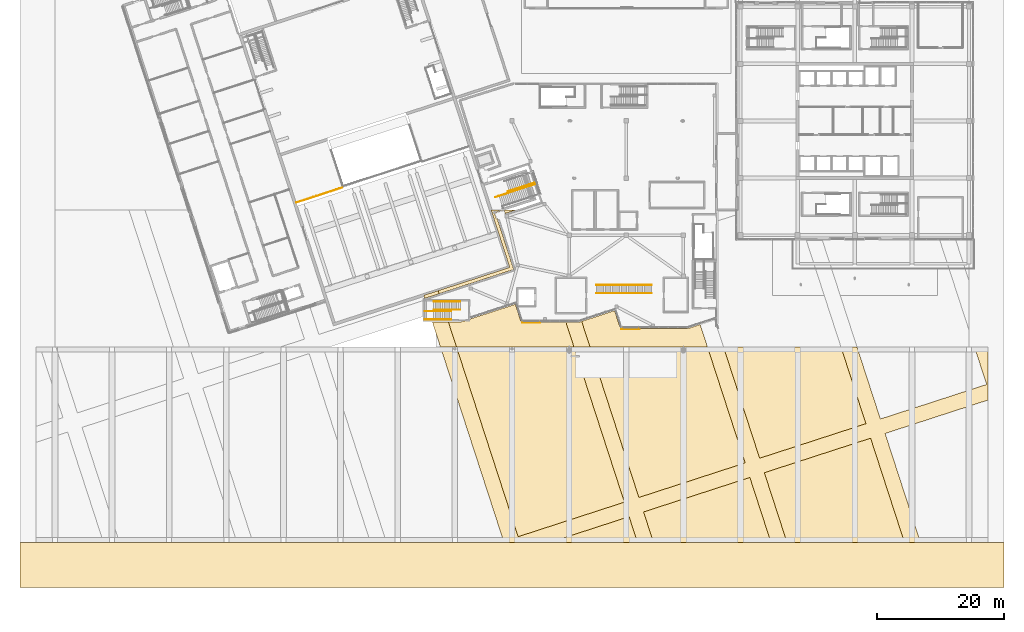
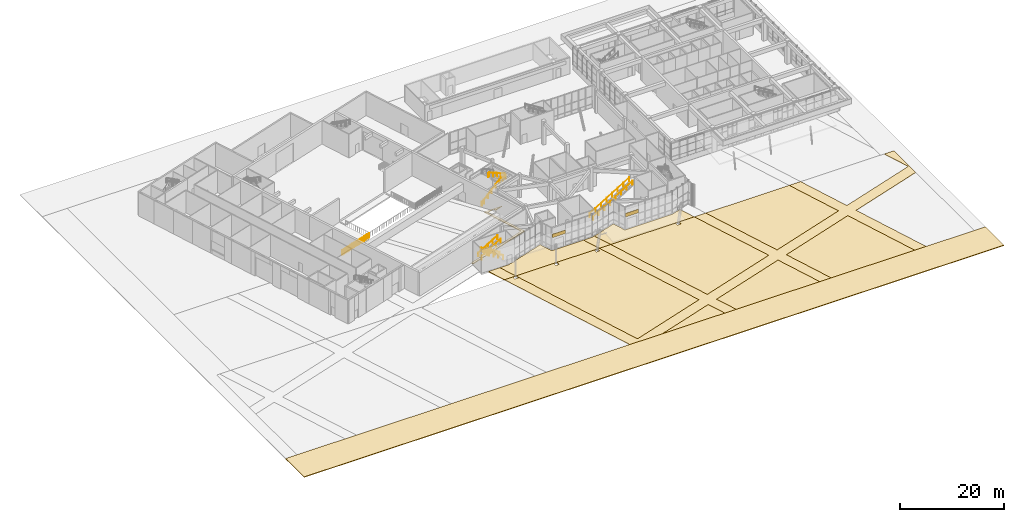
# One storey, part 63 of 72: 16 coverings, 8 railings.
"""IFC4 building model written with IfcOpenShell, lengths in metres."""

from ifc_helpers import new_model, si_unit, direction, frame, origin, origin_2d, place, context, subcontext, project, spatial, polyline, circle, outline, extrude, material, layer, layer_set, type_object, element, save


model = new_model("IFC4")

# Units and contexts
model_context = context("Model", 3, precision=1e-05, world=origin(), true_north=direction((0.0, 1.0)))
body_context = subcontext(model_context, "Body", "Model", "MODEL_VIEW")
ifc_project = project(units=[si_unit("LENGTHUNIT", "METRE"), si_unit("AREAUNIT", "SQUARE_METRE"), si_unit("VOLUMEUNIT", "CUBIC_METRE"), si_unit("PLANEANGLEUNIT", "RADIAN"), si_unit("MASSUNIT", "GRAM", prefix="KILO")], contexts=[model_context])

# Site, building, storey
site_placement = place(None, origin())
site = spatial("IfcSite", under=ifc_project, at=site_placement, CompositionType="ELEMENT")
building_placement = place(site_placement, origin())
building = spatial("IfcBuilding", under=site, at=building_placement, Name="Tuart Plaza Theatre", CompositionType="ELEMENT")
storey_placement = place(building_placement, origin())
storey = spatial("IfcBuildingStorey", under=building, at=storey_placement, Name="L00", CompositionType="ELEMENT", Elevation=0.0)

# Coverings
ifc_material_1 = material(Name="Concrete paving, power-floated cast in place", Category="concrete")
ifc_layer_1 = layer(ifc_material_1, 0.14990234375)
ifc_layer_set_1 = layer_set([ifc_layer_1], Name="COVERING-CAST-CONCRETE-PAVING150")
covering_type_1 = type_object("IfcCoveringType", Name="COVERING-CAST-CONCRETE-PAVING150", PredefinedType="FLOORING", material=ifc_layer_set_1)
covering_1_placement = place(storey_placement, frame((0.0, 0.0, -0.14990234375)))
element("IfcCovering", 1, at=covering_1_placement, inside=storey, type_object=covering_type_1, Name="D-COV-DECK-CB-1-1", PredefinedType="FLOORING", context=body_context, shape_type="SweptSolid", body=[
    extrude(outline(polyline([(68.60009765625, 37.60009765625), (68.60009765625, 38.39990234375), (66.7314453125, 38.39990234375), (76.68359375, 7.770263671875), (76.1591796875, 7.60009765625), (83.92578125, 7.60009765625), (96.4462890625, 11.668212890625), (97.76806640625, 7.60009765625), (100.29150390625, 7.60009765625), (98.728759765625, 12.409912109375), (115.46728515625, 17.848388671875), (118.79736328125, 7.60009765625), (121.32080078125, 7.60009765625), (117.75, 18.590087890625), (134.488525390625, 24.02880859375), (139.82666015625, 7.60009765625), (142.35009765625, 7.60009765625), (136.77099609375, 24.7705078125), (153.0, 30.043701171875), (153.0, 38.39990234375), (150.848388671875, 38.39990234375), (152.76806640625, 32.49169921875), (136.029541015625, 27.052978515625), (132.342529296875, 38.39990234375), (129.819091796875, 38.39990234375), (133.746826171875, 26.311279296875), (117.00830078125, 20.872802734375), (111.3134765625, 38.39990234375), (108.789794921875, 38.39990234375), (114.725830078125, 20.131103515625), (97.9873046875, 14.6923828125), (90.2841796875, 38.39990234375), (87.760498046875, 38.39990234375), (95.70458984375, 13.95068359375), (78.966064453125, 8.511962890625), (69.514892578125, 37.60009765625), (68.60009765625, 37.60009765625)])), origin(), (0.0, 0.0, 1.0), 0.14990234375),
])
covering_2_placement = place(storey_placement, frame((0.0, 0.0, -0.14990234375)))
element("IfcCovering", 2, at=covering_2_placement, inside=storey, type_object=covering_type_1, Name="D-COV-FORECOURT-CB-1-1", PredefinedType="FLOORING", context=body_context, shape_type="SweptSolid", body=[
    extrude(outline(polyline([(88.973388671875, 42.43359375), (88.49169921875, 42.2783203125), (86.50048828125, 42.2783203125), (87.760498046875, 38.39990234375), (90.2841796875, 38.39990234375), (88.973388671875, 42.43359375)])), origin(), (0.0, 0.0, 1.0), 0.14990234375),
])
covering_3_placement = place(storey_placement, frame((0.0, 0.0, -0.14990234375)))
element("IfcCovering", 3, at=covering_3_placement, inside=storey, type_object=covering_type_1, Name="D-COV-FORECOURT-CB-1-3", PredefinedType="FLOORING", context=body_context, shape_type="SweptSolid", body=[
    extrude(outline(polyline([(67.971435546875, 42.35009765625), (65.447998046875, 42.35009765625), (66.7314453125, 38.39990234375), (69.2548828125, 38.39990234375), (67.971435546875, 42.35009765625)])), origin(), (0.0, 0.0, 1.0), 0.14990234375),
])
covering_4_placement = place(storey_placement, frame((0.0, 0.0, -0.14990234375)))
element("IfcCovering", 4, at=covering_4_placement, inside=storey, type_object=covering_type_1, Name="D-COV-FORECOURT-CB-1-5", PredefinedType="FLOORING", context=body_context, shape_type="SweptSolid", body=[
    extrude(outline(polyline([(64.24560546875, 46.05029296875), (66.528076171875, 46.7919921875), (66.37353515625, 47.267578125), (64.091064453125, 46.52587890625), (64.24560546875, 46.05029296875)])), origin(), (0.0, 0.0, 1.0), 0.14990234375),
])
ifc_material_2 = material(Name="Stone paving", Category="masonry")
ifc_layer_2 = layer(ifc_material_2, 0.14990234375)
ifc_layer_set_2 = layer_set([ifc_layer_2], Name="COVERING-GRADE-PAVING150")
covering_type_2 = type_object("IfcCoveringType", Name="COVERING-GRADE-PAVING150", PredefinedType="USERDEFINED", material=ifc_layer_set_2)
covering_5_placement = place(storey_placement, frame((0.0, 0.0, -0.14990234375)))
element("IfcCovering", 5, at=covering_5_placement, inside=storey, type_object=covering_type_2, Name="D-COV-SOUTH-APRON", ObjectType="PAVING", PredefinedType="USERDEFINED", context=body_context, shape_type="SweptSolid", body=[
    extrude(outline(polyline([(155.5, 0.5), (155.5, 7.60009765625), (0.5, 7.60009765625), (0.5, 0.5), (155.5, 0.5)])), origin(), (0.0, 0.0, 1.0), 0.14990234375),
])
ifc_material_3 = material(Name="Granite paving, honed", Category="masonry")
ifc_layer_3 = layer(ifc_material_3, 0.14990234375)
ifc_layer_set_3 = layer_set([ifc_layer_3], Name="COVERING-GRANITE-PAVING150")
covering_type_3 = type_object("IfcCoveringType", Name="COVERING-GRANITE-PAVING150", PredefinedType="FLOORING", material=ifc_layer_set_3)
covering_6_placement = place(storey_placement, frame((0.0, 0.0, -0.14990234375)))
element("IfcCovering", 6, at=covering_6_placement, inside=storey, type_object=covering_type_3, Name="D-COV-DECK-GR-1-1", PredefinedType="FLOORING", context=body_context, shape_type="SweptSolid", body=[
    extrude(outline(polyline([(97.76806640625, 7.60009765625), (96.4462890625, 11.668212890625), (83.92578125, 7.60009765625), (97.76806640625, 7.60009765625)])), origin(), (0.0, 0.0, 1.0), 0.14990234375),
])
covering_7_placement = place(storey_placement, frame((0.0, 0.0, -0.14990234375)))
element("IfcCovering", 7, at=covering_7_placement, inside=storey, type_object=covering_type_3, Name="D-COV-DECK-GR-1-2", PredefinedType="FLOORING", context=body_context, shape_type="SweptSolid", body=[
    extrude(outline(polyline([(118.79736328125, 7.60009765625), (115.46728515625, 17.848388671875), (98.728759765625, 12.409912109375), (100.29150390625, 7.60009765625), (118.79736328125, 7.60009765625)])), origin(), (0.0, 0.0, 1.0), 0.14990234375),
])
covering_8_placement = place(storey_placement, frame((0.0, 0.0, -0.14990234375)))
element("IfcCovering", 8, at=covering_8_placement, inside=storey, type_object=covering_type_3, Name="D-COV-DECK-GR-1-3", PredefinedType="FLOORING", context=body_context, shape_type="SweptSolid", body=[
    extrude(outline(polyline([(139.82666015625, 7.60009765625), (134.488525390625, 24.02880859375), (117.75, 18.590087890625), (121.32080078125, 7.60009765625), (139.82666015625, 7.60009765625)])), origin(), (0.0, 0.0, 1.0), 0.14990234375),
])
covering_9_placement = place(storey_placement, frame((0.0, 0.0, -0.14990234375)))
element("IfcCovering", 9, at=covering_9_placement, inside=storey, type_object=covering_type_3, Name="D-COV-DECK-GR-1-9", PredefinedType="FLOORING", context=body_context, shape_type="SweptSolid", body=[
    extrude(outline(polyline([(69.39990234375, 37.953369140625), (78.966064453125, 8.511962890625), (95.70458984375, 13.95068359375), (87.760498046875, 38.39990234375), (87.39990234375, 38.39990234375), (87.39990234375, 37.60009765625), (86.60009765625, 37.60009765625), (86.60009765625, 38.39990234375), (78.39990234375, 38.39990234375), (78.39990234375, 37.60009765625), (77.60009765625, 37.60009765625), (77.60009765625, 38.39990234375), (69.39990234375, 38.39990234375), (69.39990234375, 37.953369140625)])), origin(), (0.0, 0.0, 1.0), 0.14990234375),
])
covering_10_placement = place(storey_placement, frame((0.0, 0.0, -0.14990234375)))
element("IfcCovering", 10, at=covering_10_placement, inside=storey, type_object=covering_type_3, Name="D-COV-DECK-GR-1-10", PredefinedType="FLOORING", context=body_context, shape_type="SweptSolid", body=[
    extrude(outline(polyline([(90.2841796875, 38.39990234375), (97.9873046875, 14.6923828125), (114.725830078125, 20.131103515625), (108.789794921875, 38.39990234375), (105.39990234375, 38.39990234375), (105.39990234375, 37.60009765625), (104.60009765625, 37.60009765625), (104.60009765625, 38.39990234375), (90.2841796875, 38.39990234375)])), origin(), (0.0, 0.0, 1.0), 0.14990234375),
])
covering_11_placement = place(storey_placement, frame((0.0, 0.0, -0.14990234375)))
element("IfcCovering", 11, at=covering_11_placement, inside=storey, type_object=covering_type_3, Name="D-COV-DECK-GR-1-11", PredefinedType="FLOORING", context=body_context, shape_type="SweptSolid", body=[
    extrude(outline(polyline([(111.3134765625, 38.39990234375), (117.00830078125, 20.872802734375), (133.746826171875, 26.311279296875), (129.819091796875, 38.39990234375), (111.3134765625, 38.39990234375)])), origin(), (0.0, 0.0, 1.0), 0.14990234375),
])
covering_12_placement = place(storey_placement, frame((0.0, 0.0, -0.14990234375)))
element("IfcCovering", 12, at=covering_12_placement, inside=storey, type_object=covering_type_3, Name="D-COV-FORECOURT-GR-1-1", PredefinedType="FLOORING", context=body_context, shape_type="SweptSolid", body=[
    extrude(outline(polyline([(88.973388671875, 42.43359375), (90.2841796875, 38.39990234375), (108.789794921875, 38.39990234375), (107.641845703125, 41.933349609375), (105.625244140625, 41.279296875), (95.1103515625, 41.27978515625), (95.072509765625, 41.3134765625), (94.160888671875, 44.119140625), (88.973388671875, 42.43359375)])), origin(), (0.0, 0.0, 1.0), 0.14990234375),
])
covering_13_placement = place(storey_placement, frame((0.0, 0.0, -0.14990234375)))
element("IfcCovering", 13, at=covering_13_placement, inside=storey, type_object=covering_type_3, Name="D-COV-FORECOURT-GR-1-2", PredefinedType="FLOORING", context=body_context, shape_type="SweptSolid", body=[
    extrude(outline(polyline([(69.2548828125, 38.39990234375), (87.760498046875, 38.39990234375), (86.50048828125, 42.2783203125), (79.4677734375, 42.28173828125), (79.43896484375, 42.3125), (78.52734375, 45.1181640625), (70.010498046875, 42.35107421875), (67.971435546875, 42.35009765625), (69.2548828125, 38.39990234375)])), origin(), (0.0, 0.0, 1.0), 0.14990234375),
])
covering_14_placement = place(storey_placement, frame((0.0, 0.0, -0.14990234375)))
element("IfcCovering", 14, at=covering_14_placement, inside=storey, type_object=covering_type_3, Name="D-COV-FORECOURT-GR-1-8", PredefinedType="FLOORING", context=body_context, shape_type="SweptSolid", body=[
    extrude(outline(polyline([(78.273681640625, 50.6083984375), (75.677978515625, 58.59716796875), (75.568359375, 58.56396484375), (75.521484375, 58.593994140625), (75.24560546875, 59.44970703125), (75.280029296875, 59.498291015625), (76.75390625, 59.977294921875), (76.933349609375, 59.42578125), (78.70068359375, 60.0), (74.6962890625, 60.0), (77.628173828125, 50.976806640625), (77.613037109375, 50.923583984375), (66.37353515625, 47.267578125), (66.528076171875, 46.7919921875), (78.273681640625, 50.6083984375)])), origin(), (0.0, 0.0, 1.0), 0.14990234375),
])
ifc_material_4 = material(Name="Zinc")
ifc_layer_4 = layer(ifc_material_4, 0.10009765625)
ifc_layer_set_4 = layer_set([ifc_layer_4], Name="COVERING-ZINC-SIGN-BAND100")
covering_type_4 = type_object("IfcCoveringType", Name="COVERING-ZINC-SIGN-BAND100", PredefinedType="CLADDING", material=ifc_layer_set_4)
covering_15_placement = place(storey_placement, frame((0.0, 0.0, 3.0)))
element("IfcCovering", 15, at=covering_15_placement, inside=storey, type_object=covering_type_4, Name="CL82", PredefinedType="CLADDING", context=body_context, shape_type="SweptSolid", body=[
    extrude(outline(polyline([(79.595947265625, 42.327880859375), (82.487060546875, 42.327880859375), (82.487060546875, 42.22802734375), (79.595947265625, 42.22802734375), (79.595947265625, 42.327880859375)])), origin(), (0.0, 0.0, 1.0), 0.800048828125),
])
covering_16_placement = place(storey_placement, frame((0.0, 0.0, 3.0)))
element("IfcCovering", 16, at=covering_16_placement, inside=storey, type_object=covering_type_4, Name="CL83", PredefinedType="CLADDING", context=body_context, shape_type="SweptSolid", body=[
    extrude(outline(polyline([(95.22900390625, 41.3291015625), (98.1201171875, 41.3291015625), (98.1201171875, 41.22900390625), (95.22900390625, 41.22900390625), (95.22900390625, 41.3291015625)])), origin(), (0.0, 0.0, 1.0), 0.800048828125),
])

# Railings
ifc_material_5 = material(Name="Steel Grade C350L0", Category="steel")
railing_type_1 = type_object("IfcRailingType", Name="RAILING Guard 1100", PredefinedType="GUARDRAIL", material=ifc_material_5)
railing_1_placement = place(storey_placement, frame((44.018310546875, 61.13818359375, 0.0)))
element("IfcRailing", 17, at=railing_1_placement, inside=storey, type_object=railing_type_1, Name="GR110", PredefinedType="GUARDRAIL", context=body_context, shape_type="SweptSolid", body=[
    extrude(circle(Radius=0.02490234375, at=origin_2d()), frame((0.0, 0.0, 1.0751953125), z_axis=(0.951057360729, 0.309014395462, 0.0), x_axis=(-0.309014395462, 0.951057360729, 0.0)), (0.0, 0.0, 1.0), 7.625),
    extrude(circle(Radius=0.02001953125, at=origin_2d()), origin(), (0.0, 0.0, 1.0), 1.050048828125),
    extrude(circle(Radius=0.02001953125, at=origin_2d()), frame((0.453125, 0.147216796875, 0.0)), (0.0, 0.0, 1.0), 1.050048828125),
    extrude(circle(Radius=0.02001953125, at=origin_2d()), frame((0.906494140625, 0.29443359375, 0.0)), (0.0, 0.0, 1.0), 1.050048828125),
    extrude(circle(Radius=0.02001953125, at=origin_2d()), frame((1.359619140625, 0.44189453125, 0.0)), (0.0, 0.0, 1.0), 1.050048828125),
    extrude(circle(Radius=0.02001953125, at=origin_2d()), frame((1.81298828125, 0.589111328125, 0.0)), (0.0, 0.0, 1.0), 1.050048828125),
    extrude(circle(Radius=0.02001953125, at=origin_2d()), frame((2.26611328125, 0.736328125, 0.0)), (0.0, 0.0, 1.0), 1.050048828125),
    extrude(circle(Radius=0.02001953125, at=origin_2d()), frame((2.719482421875, 0.883544921875, 0.0)), (0.0, 0.0, 1.0), 1.050048828125),
    extrude(circle(Radius=0.02001953125, at=origin_2d()), frame((3.172607421875, 1.03076171875, 0.0)), (0.0, 0.0, 1.0), 1.050048828125),
    extrude(circle(Radius=0.02001953125, at=origin_2d()), frame((3.6259765625, 1.17822265625, 0.0)), (0.0, 0.0, 1.0), 1.050048828125),
    extrude(circle(Radius=0.02001953125, at=origin_2d()), frame((4.0791015625, 1.325439453125, 0.0)), (0.0, 0.0, 1.0), 1.050048828125),
    extrude(circle(Radius=0.02001953125, at=origin_2d()), frame((4.5322265625, 1.47265625, 0.0)), (0.0, 0.0, 1.0), 1.050048828125),
    extrude(circle(Radius=0.02001953125, at=origin_2d()), frame((4.985595703125, 1.619873046875, 0.0)), (0.0, 0.0, 1.0), 1.050048828125),
    extrude(circle(Radius=0.02001953125, at=origin_2d()), frame((5.438720703125, 1.76708984375, 0.0)), (0.0, 0.0, 1.0), 1.050048828125),
    extrude(circle(Radius=0.02001953125, at=origin_2d()), frame((5.89208984375, 1.914306640625, 0.0)), (0.0, 0.0, 1.0), 1.050048828125),
    extrude(circle(Radius=0.02001953125, at=origin_2d()), frame((6.34521484375, 2.061767578125, 0.0)), (0.0, 0.0, 1.0), 1.050048828125),
    extrude(circle(Radius=0.02001953125, at=origin_2d()), frame((6.798583984375, 2.208984375, 0.0)), (0.0, 0.0, 1.0), 1.050048828125),
    extrude(circle(Radius=0.02001953125, at=origin_2d()), frame((7.251708984375, 2.356201171875, 0.0)), (0.0, 0.0, 1.0), 1.050048828125),
])
ifc_material_6 = material(Name="Steel Grade C350L0", Category="steel")
railing_type_2 = type_object("IfcRailingType", Name="RAILING Handrail 900", PredefinedType="HANDRAIL", material=ifc_material_6)
railing_2_placement = place(storey_placement, frame((75.387451171875, 61.9990234375, 0.0)))
element("IfcRailing", 18, at=railing_2_placement, inside=storey, type_object=railing_type_2, Name="HR25", PredefinedType="HANDRAIL", context=body_context, shape_type="SweptSolid", body=[
    extrude(circle(Radius=0.0224609375, at=origin_2d()), frame((0.0, 0.0, 0.87744140625), z_axis=(0.914374294295, 0.29683921701, 0.275329128821), x_axis=(-0.308773297186, 0.951135663796, 0.0)), (0.0, 0.0, 1.0), 0.624267578125),
    extrude(circle(Radius=0.0224609375, at=origin_2d()), frame((0.57080078125, 0.185302734375, 1.04931640625), z_axis=(0.825203600648, 0.268147624467, 0.497127618395), x_axis=(-0.309040679961, 0.951048820056, 0.0)), (0.0, 0.0, 1.0), 5.18603515625),
    extrude(circle(Radius=0.0224609375, at=origin_2d()), frame((4.850341796875, 1.575927734375, 3.62744140625), z_axis=(0.951054116971, 0.309024378638, 0.0), x_axis=(-0.309024378638, 0.951054116971, 0.0)), (0.0, 0.0, 1.0), 1.7001953125),
    extrude(circle(Radius=0.0224609375, at=origin_2d()), frame((6.46728515625, 2.101318359375, 3.62744140625), z_axis=(-0.228129235653, 0.700939670429, 0.675751899931), x_axis=(-0.95090484413, -0.309483404096, 0.0)), (0.0, 0.0, 1.0), 0.33935546875),
    extrude(circle(Radius=0.0224609375, at=origin_2d()), frame((6.389892578125, 2.339111328125, 3.856689453125), z_axis=(-0.825222874219, -0.268125215083, 0.49710771157), x_axis=(0.30901079133, -0.951058531764, 0.0)), (0.0, 0.0, 1.0), 5.07080078125),
    extrude(circle(Radius=0.0224609375, at=origin_2d()), frame((2.205322265625, 0.9794921875, 6.37744140625), z_axis=(-0.951016131768, -0.309141257546, 0.0), x_axis=(0.309141257546, -0.951016131768, 0.0)), (0.0, 0.0, 1.0), 0.300048828125),
    extrude(circle(Radius=0.01513671875, at=origin_2d()), origin(), (0.0, 0.0, 1.0), 0.85498046875),
    extrude(circle(Radius=0.01513671875, at=origin_2d()), frame((0.57080078125, 0.185302734375, 0.171875)), (0.0, 0.0, 1.0), 0.85498046875),
    extrude(circle(Radius=0.01513671875, at=origin_2d()), frame((1.640625, 0.532958984375, 0.81640625)), (0.0, 0.0, 1.0), 0.85498046875),
    extrude(circle(Radius=0.01513671875, at=origin_2d()), frame((2.71044921875, 0.880615234375, 1.4609375)), (0.0, 0.0, 1.0), 0.85498046875),
    extrude(circle(Radius=0.01513671875, at=origin_2d()), frame((3.780517578125, 1.228271484375, 2.10546875)), (0.0, 0.0, 1.0), 0.85498046875),
    extrude(circle(Radius=0.01513671875, at=origin_2d()), frame((4.850341796875, 1.575927734375, 2.75)), (0.0, 0.0, 1.0), 0.85498046875),
    extrude(circle(Radius=0.01513671875, at=origin_2d()), frame((5.65869140625, 1.838623046875, 2.75)), (0.0, 0.0, 1.0), 0.85498046875),
    extrude(circle(Radius=0.01513671875, at=origin_2d()), frame((6.46728515625, 2.101318359375, 2.75)), (0.0, 0.0, 1.0), 0.85498046875),
    extrude(circle(Radius=0.01513671875, at=origin_2d()), frame((6.389892578125, 2.339111328125, 2.979248046875)), (0.0, 0.0, 1.0), 0.85498046875),
    extrude(circle(Radius=0.01513671875, at=origin_2d()), frame((5.34375, 1.999267578125, 3.609375)), (0.0, 0.0, 1.0), 0.85498046875),
    extrude(circle(Radius=0.01513671875, at=origin_2d()), frame((4.297607421875, 1.6591796875, 4.23974609375)), (0.0, 0.0, 1.0), 0.85498046875),
    extrude(circle(Radius=0.01513671875, at=origin_2d()), frame((3.25146484375, 1.3193359375, 4.869873046875)), (0.0, 0.0, 1.0), 0.85498046875),
    extrude(circle(Radius=0.01513671875, at=origin_2d()), frame((2.205322265625, 0.9794921875, 5.5)), (0.0, 0.0, 1.0), 0.85498046875),
    extrude(circle(Radius=0.01513671875, at=origin_2d()), frame((1.919921875, 0.88671875, 5.5)), (0.0, 0.0, 1.0), 0.85498046875),
])
for number, where, name in (
    (19, (69.85009765625, 44.27490234375, 0.171875), "HR55"),
    (20, (69.85009765625, 45.574951171875, 0.171875), "HR56"),
):
    element("IfcRailing", number, at=place(storey_placement, frame(where)), inside=storey, type_object=railing_type_2, Name=name, PredefinedType="HANDRAIL", context=body_context, shape_type="SweptSolid", body=[
        extrude(circle(Radius=0.0224609375, at=origin_2d()), frame((0.0, 0.0, 0.87744140625), z_axis=(-0.852256472501, 0.0, 0.523124177495), x_axis=(0.0, -1.0, 0.0)), (0.0, 0.0, 1.0), 4.92822265625),
        extrude(circle(Radius=0.01513671875, at=origin_2d()), origin(), (0.0, 0.0, 1.0), 0.85498046875),
        extrude(circle(Radius=0.01513671875, at=origin_2d()), frame((-1.050048828125, 0.0, 0.64453125)), (0.0, 0.0, 1.0), 0.85498046875),
        extrude(circle(Radius=0.01513671875, at=origin_2d()), frame((-2.10009765625, 0.0, 1.2890625)), (0.0, 0.0, 1.0), 0.85498046875),
        extrude(circle(Radius=0.01513671875, at=origin_2d()), frame((-3.150146484375, 0.0, 1.93359375)), (0.0, 0.0, 1.0), 0.85498046875),
        extrude(circle(Radius=0.01513671875, at=origin_2d()), frame((-4.2001953125, 0.0, 2.578125)), (0.0, 0.0, 1.0), 0.85498046875),
    ])
for number, where, name in (
    (21, (64.25, 44.02490234375, 2.921875), "HR57"),
    (22, (64.25, 42.72509765625, 2.921875), "HR58"),
):
    element("IfcRailing", number, at=place(storey_placement, frame(where)), inside=storey, type_object=railing_type_2, Name=name, PredefinedType="HANDRAIL", context=body_context, shape_type="SweptSolid", body=[
        extrude(circle(Radius=0.0224609375, at=origin_2d()), frame((0.0, 0.0, 0.87744140625), z_axis=(0.852242915053, 0.0, 0.523146264196), x_axis=(0.0, 1.0, 0.0)), (0.0, 0.0, 1.0), 4.92822265625),
        extrude(circle(Radius=0.01513671875, at=origin_2d()), origin(), (0.0, 0.0, 1.0), 0.85498046875),
        extrude(circle(Radius=0.01513671875, at=origin_2d()), frame((1.050048828125, 0.0, 0.64453125)), (0.0, 0.0, 1.0), 0.85498046875),
        extrude(circle(Radius=0.01513671875, at=origin_2d()), frame((2.10009765625, 0.0, 1.2890625)), (0.0, 0.0, 1.0), 0.85498046875),
        extrude(circle(Radius=0.01513671875, at=origin_2d()), frame((3.14990234375, 0.0, 1.93359375)), (0.0, 0.0, 1.0), 0.85498046875),
        extrude(circle(Radius=0.01513671875, at=origin_2d()), frame((4.199951171875, 0.0, 2.578125)), (0.0, 0.0, 1.0), 0.85498046875),
    ])
for number, where, name in (
    (23, (91.300048828125, 48.14990234375, 0.171875), "HR111"),
    (24, (91.300048828125, 46.85009765625, 0.171875), "HR112"),
):
    element("IfcRailing", number, at=place(storey_placement, frame(where)), inside=storey, type_object=railing_type_2, Name=name, PredefinedType="HANDRAIL", context=body_context, shape_type="SweptSolid", body=[
        extrude(circle(Radius=0.0224609375, at=origin_2d()), frame((0.0, 0.0, 0.87744140625), z_axis=(0.852243789779, 0.0, 0.523144839202), x_axis=(0.0, 1.0, 0.0)), (0.0, 0.0, 1.0), 10.184814453125),
        extrude(circle(Radius=0.01513671875, at=origin_2d()), origin(), (0.0, 0.0, 1.0), 0.85498046875),
        extrude(circle(Radius=0.01513671875, at=origin_2d()), frame((1.239990234375, 0.0, 0.76123046875)), (0.0, 0.0, 1.0), 0.85498046875),
        extrude(circle(Radius=0.01513671875, at=origin_2d()), frame((2.47998046875, 0.0, 1.522216796875)), (0.0, 0.0, 1.0), 0.85498046875),
        extrude(circle(Radius=0.01513671875, at=origin_2d()), frame((3.719970703125, 0.0, 2.283447265625)), (0.0, 0.0, 1.0), 0.85498046875),
        extrude(circle(Radius=0.01513671875, at=origin_2d()), frame((4.9599609375, 0.0, 3.044677734375)), (0.0, 0.0, 1.0), 0.85498046875),
        extrude(circle(Radius=0.01513671875, at=origin_2d()), frame((6.199951171875, 0.0, 3.805908203125)), (0.0, 0.0, 1.0), 0.85498046875),
        extrude(circle(Radius=0.01513671875, at=origin_2d()), frame((7.43994140625, 0.0, 4.56689453125)), (0.0, 0.0, 1.0), 0.85498046875),
        extrude(circle(Radius=0.01513671875, at=origin_2d()), frame((8.679931640625, 0.0, 5.328125)), (0.0, 0.0, 1.0), 0.85498046875),
    ])

save(model, "model.ifc")
